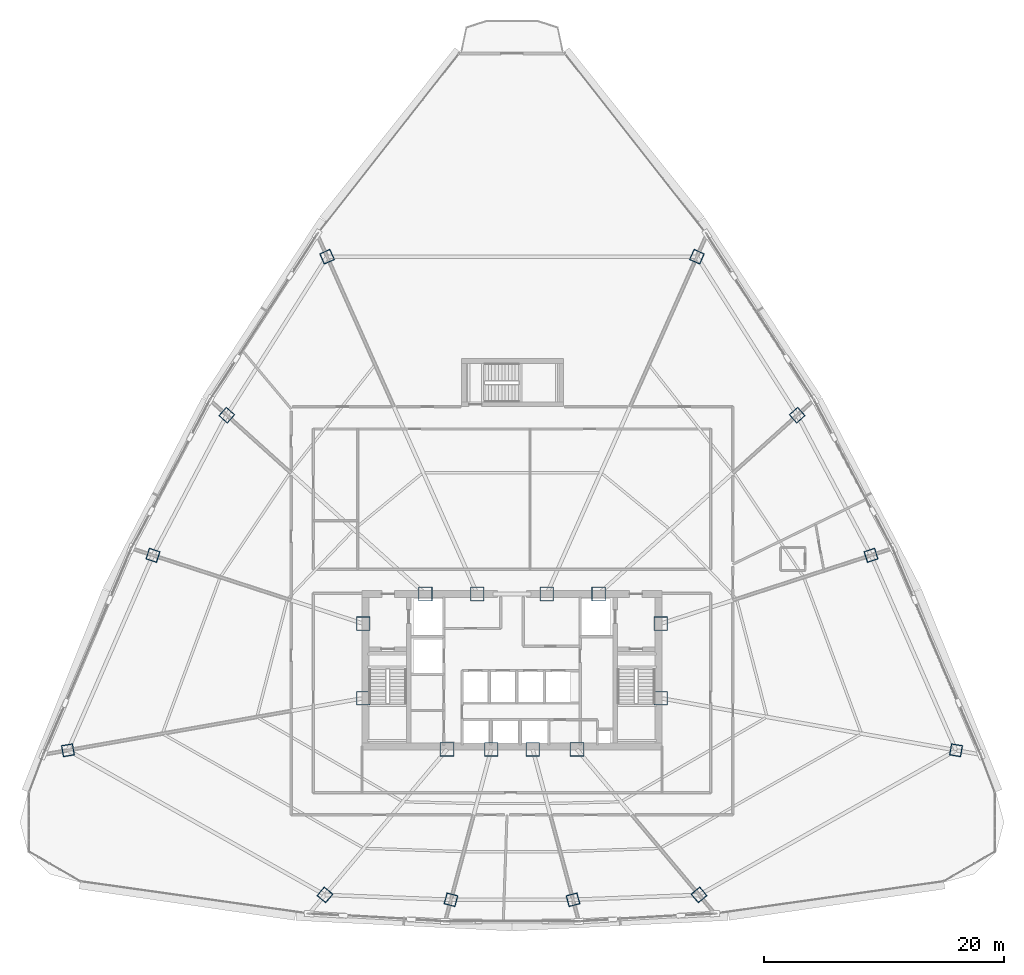
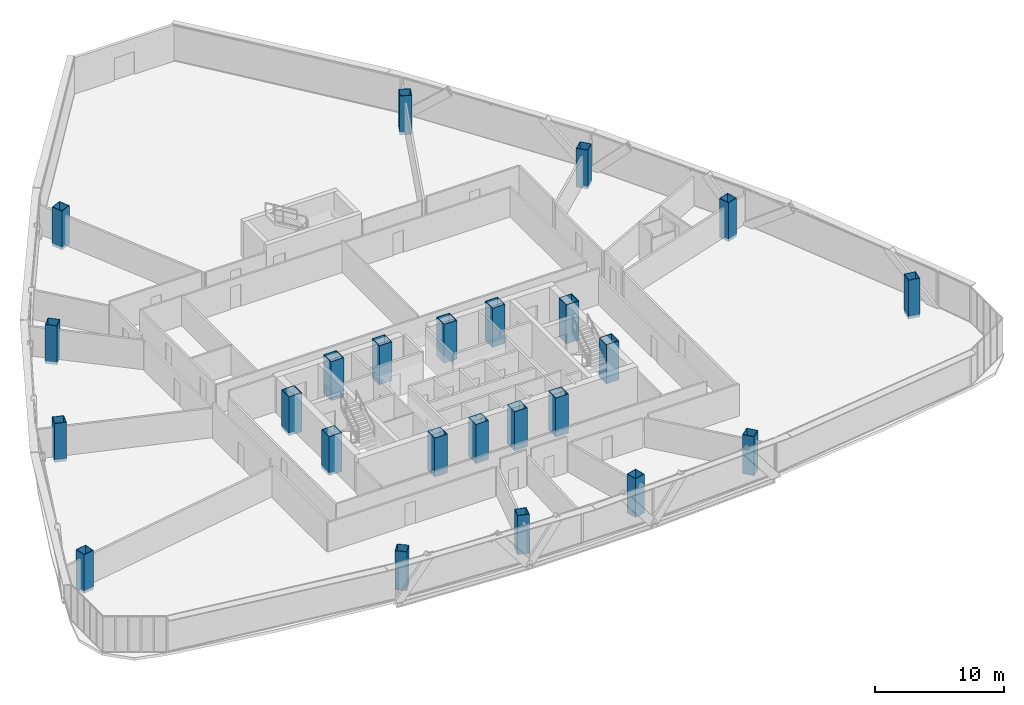
# One storey, part 1 of 42: 24 columns.
"""IFC4 building model written with IfcOpenShell, lengths in metres."""

from ifc_helpers import new_model, si_unit, direction, frame, origin, origin_2d, place, context, subcontext, project, spatial, hollow_rectangle, extrude, source, transform, mapped, material, material_profile, profile_set, type_object, element, save


model = new_model("IFC4")

# Units and contexts
model_context = context("Model", 3, precision=1e-05, world=origin(), true_north=direction((0.0, 1.0)))
body_context = subcontext(model_context, "Body", "Model", "MODEL_VIEW")
ifc_project = project(units=[si_unit("LENGTHUNIT", "METRE"), si_unit("AREAUNIT", "SQUARE_METRE"), si_unit("VOLUMEUNIT", "CUBIC_METRE"), si_unit("PLANEANGLEUNIT", "RADIAN"), si_unit("MASSUNIT", "GRAM", prefix="KILO"), si_unit("THERMODYNAMICTEMPERATUREUNIT", "KELVIN"), si_unit("POWERUNIT", "WATT")], contexts=[model_context])

# Site, building, storey
site_placement = place(None, origin())
site = spatial("IfcSite", under=ifc_project, at=site_placement, CompositionType="ELEMENT")
building_placement = place(site_placement, origin())
building = spatial("IfcBuilding", under=site, at=building_placement, Name="Yunzhuo Pagoda Commons", CompositionType="ELEMENT")
storey_placement = place(building_placement, frame((0.0, 0.0, 129.830078125)))
storey = spatial("IfcBuildingStorey", under=building, at=storey_placement, Name="L32", CompositionType="ELEMENT", Elevation=129.830078125)

# Columns
ifc_material = material(Name="Structural steel Q420B", Category="steel")
ifc_material_profile_1 = material_profile(ifc_material, hollow_rectangle(XDim=1.14990234375, YDim=1.14990234375, WallThickness=0.048095703125, at=origin_2d()), Name="Structural steel Q420B")
ifc_profile_set_1 = profile_set([ifc_material_profile_1], Name="Structural steel Q420B")
column_type_1 = type_object("IfcColumnType", Name="C-COR Column BOX 1150x1150x48", PredefinedType="COLUMN", material=ifc_profile_set_1)
shared_shape_1 = source(origin(), body_context, "Body", "SweptSolid", [
    extrude(hollow_rectangle(XDim=1.14990234375, YDim=1.14990234375, WallThickness=0.048095703125, at=origin_2d()), origin(), (0.0, 0.0, 1.0), 3.679931640625),
])
for number, where, z_axis, x_axis, name in (
    (1, (42.587890625, 27.25, -0.260009765625), (0.0, 0.0, 1.0), (1.0, 0.0, 0.0), "L32 core composite column F1C1"),
    (2, (46.27197265625, 27.25, -0.260009765625), (0.0, 0.0, 1.0), (1.0, 0.0, 0.0), "L32 core composite column F1C2"),
    (3, (49.728515625, 27.25, -0.260009765625), (0.0, 0.0, 1.0), (1.0, 0.0, 0.0), "L32 core composite column F1C3"),
    (4, (53.412109375, 27.25, -0.260009765625), (0.0, 0.0, 1.0), (1.0, 0.0, 0.0), "L32 core composite column F1C4"),
    (5, (60.39990234375, 31.513427734375, -0.260009765625), (0.0, 0.0, 1.0), (1.0, 0.0, 0.0), "L32 core composite column F2C1"),
    (6, (60.39990234375, 37.72900390625, -0.260009765625), (0.0, 0.0, 1.0), (1.0, 0.0, 0.0), "L32 core composite column F2C2"),
    (7, (55.218994140625, 40.199951171875, -0.260009765625), (0.0, 0.0, 1.0), (1.0, 0.0, 0.0), "L32 core composite column F2C3"),
    (8, (50.89404296875, 40.199951171875, -0.260009765625), (0.0, 0.0, 1.0), (1.0, 0.0, 0.0), "L32 core composite column F2C4"),
    (9, (45.10595703125, 40.199951171875, -0.260009765625), (0.0, 0.0, 1.0), (1.0, 0.0, 0.0), "L32 core composite column F3C1"),
    (10, (40.781005859375, 40.199951171875, -0.260009765625), (0.0, 0.0, 1.0), (1.0, 0.0, 0.0), "L32 core composite column F3C2"),
    (11, (35.60009765625, 37.72900390625, -0.260009765625), (0.0, 0.0, 1.0), (1.0, 0.0, 0.0), "L32 core composite column F3C3"),
    (12, (35.60009765625, 31.513427734375, -0.260009765625), (0.0, 0.0, 1.0), (1.0, 0.0, 0.0), "L32 core composite column F3C4"),
):
    element("IfcColumn", number, at=place(storey_placement, frame(where, z_axis=z_axis, x_axis=x_axis)), inside=storey, type_object=column_type_1, Name=name, PredefinedType="COLUMN", context=body_context, shape_type="MappedRepresentation", body=[
        mapped(shared_shape_1, transform((0.0, 0.0, 0.0), scale=1.0)),
    ])
ifc_material_profile_2 = material_profile(ifc_material, hollow_rectangle(XDim=0.949951171875, YDim=0.949951171875, WallThickness=0.0400390625, at=origin_2d()), Name="Structural steel Q420B")
ifc_profile_set_2 = profile_set([ifc_material_profile_2], Name="Structural steel Q420B")
column_type_2 = type_object("IfcColumnType", Name="C-Z3 Column BOX 950x950x40", PredefinedType="COLUMN", material=ifc_profile_set_2)
shared_shape_2 = source(origin(), body_context, "Body", "SweptSolid", [
    extrude(hollow_rectangle(XDim=0.949951171875, YDim=0.949951171875, WallThickness=0.0400390625, at=origin_2d()), origin(), (0.0, 0.0, 1.0), 3.679931640625),
])
for number, where, z_axis, x_axis, name in (
    (13, (32.414794921875, 15.126220703125, -0.260009765625), (0.0, 0.0, 1.0), (0.766044443119, -0.642787609687, 0.0), "L32 tower column F1C1"),
    (14, (42.914794921875, 14.7216796875, -0.260009765625), (0.0, 0.0, 1.0), (0.965925826289, -0.258819045103, 0.0), "L32 tower column F1C2"),
    (15, (53.085205078125, 14.7216796875, -0.260009765625), (0.0, 0.0, 1.0), (0.965925826289, 0.258819045103, 0.0), "L32 tower column F1C3"),
    (16, (63.585205078125, 15.126220703125, -0.260009765625), (0.0, 0.0, 1.0), (0.766044443119, 0.642787609687, 0.0), "L32 tower column F1C4"),
    (17, (84.9970703125, 27.176513671875, -0.260009765625), (0.0, 0.0, 1.0), (0.173648177667, 0.984807753012, 0.0), "L32 tower column F2C1"),
    (18, (77.915283203125, 43.420166015625, -0.260009765625), (0.0, 0.0, 1.0), (-0.309016994375, 0.951056516295, 0.0), "L32 tower column F2C2"),
    (19, (71.76611328125, 55.09912109375, -0.260009765625), (0.0, 0.0, 1.0), (-0.669130606359, 0.743144825477, 0.0), "L32 tower column F2C3"),
    (20, (63.406005859375, 68.302734375, -0.260009765625), (0.0, 0.0, 1.0), (-0.913545457643, 0.406736643076, 0.0), "L32 tower column F2C4"),
    (21, (32.593994140625, 68.302734375, -0.260009765625), (0.0, 0.0, 1.0), (-0.913545457643, -0.406736643076, 0.0), "L32 tower column F3C1"),
    (22, (24.23388671875, 55.09912109375, -0.260009765625), (0.0, 0.0, 1.0), (-0.669130606359, -0.743144825477, 0.0), "L32 tower column F3C2"),
    (23, (18.084716796875, 43.420166015625, -0.260009765625), (0.0, 0.0, 1.0), (-0.309016994375, -0.951056516295, 0.0), "L32 tower column F3C3"),
    (24, (11.0029296875, 27.176513671875, -0.260009765625), (0.0, 0.0, 1.0), (0.173648177667, -0.984807753012, 0.0), "L32 tower column F3C4"),
):
    element("IfcColumn", number, at=place(storey_placement, frame(where, z_axis=z_axis, x_axis=x_axis)), inside=storey, type_object=column_type_2, Name=name, PredefinedType="COLUMN", context=body_context, shape_type="MappedRepresentation", body=[
        mapped(shared_shape_2, transform((0.0, 0.0, 0.0), scale=1.0)),
    ])

save(model, "model.ifc")
